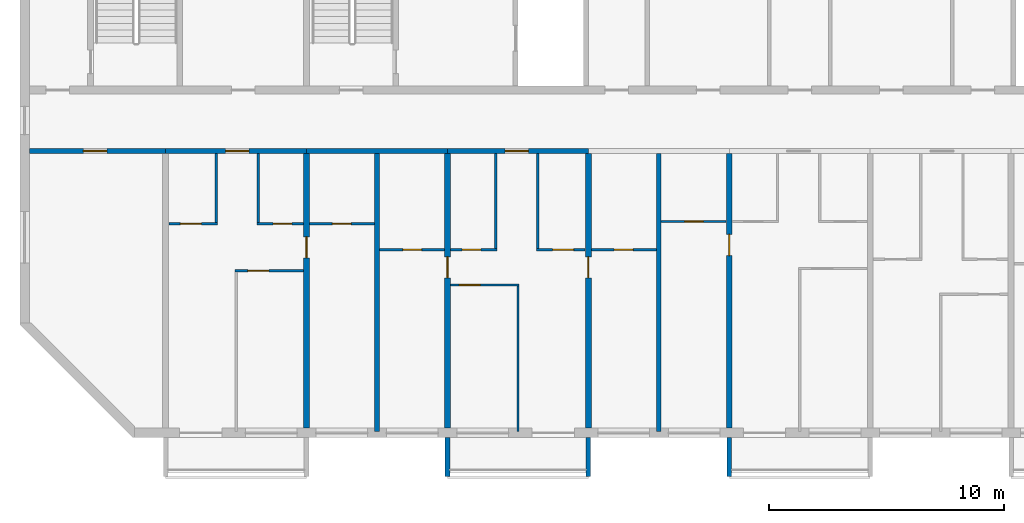
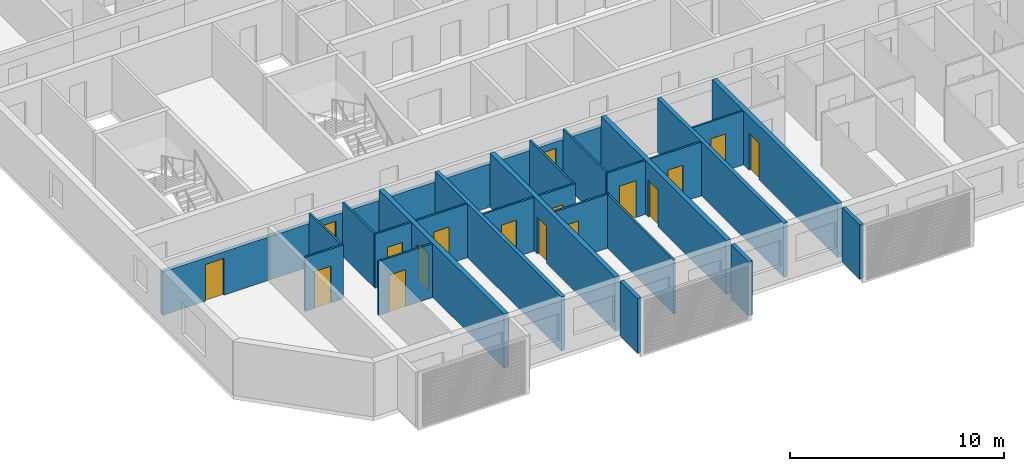
# One storey, part 2 of 29: 28 walls, 17 doors, 17 openings.
"""IFC4 building model written with IfcOpenShell, lengths in metres."""

from ifc_helpers import new_model, si_unit, direction, frame, frame_2d, origin, place, context, subcontext, project, spatial, polyline, rectangle, outline, extrude, source, transform, mapped, material, layer, layer_set, type_object, element, fill, save


model = new_model("IFC4")

# Units and contexts
model_context = context("Model", 3, precision=1e-05, world=origin(), true_north=direction((0.0, 1.0)))
body_context = subcontext(model_context, "Body", "Model", "MODEL_VIEW")
ifc_project = project(units=[si_unit("LENGTHUNIT", "METRE"), si_unit("AREAUNIT", "SQUARE_METRE"), si_unit("VOLUMEUNIT", "CUBIC_METRE"), si_unit("PLANEANGLEUNIT", "RADIAN"), si_unit("MASSUNIT", "GRAM", prefix="KILO")], contexts=[model_context])

# Site, building, storey
site_placement = place(None, origin())
site = spatial("IfcSite", under=ifc_project, at=site_placement, CompositionType="ELEMENT")
building_placement = place(site_placement, origin())
building = spatial("IfcBuilding", under=site, at=building_placement, Name="Poui Terraces", CompositionType="ELEMENT")
storey_placement = place(building_placement, frame((0.0, 0.0, 237.89990234375)))
storey = spatial("IfcBuildingStorey", under=building, at=storey_placement, Name="L66", CompositionType="ELEMENT", Elevation=237.89990234375)

# Wall, opening, door
ifc_material_1 = material(Name="Concrete 50 MPa", Category="concrete")
ifc_layer_1 = layer(ifc_material_1, 0.199951171875)
ifc_layer_set_1 = layer_set([ifc_layer_1], Name="Concrete 50 MPa")
wall_type_1 = type_object("IfcWallType", Name="CORRIDOR WALL 200 50MPa", PredefinedType="SHEAR", material=ifc_layer_set_1)
wall_1_placement = place(storey_placement, frame((18.199951171875, 12.0, 0.0), z_axis=(0.0, 0.0, 1.0), x_axis=(1.0, 0.0, 0.0)))
wall_1 = element("IfcWall", 1, at=wall_1_placement, inside=storey, type_object=wall_type_1, Name="CORRIDOR WALL LINE B BAY 1", PredefinedType="SHEAR", context=body_context, shape_type="SweptSolid", body=[
    extrude(rectangle(XDim=5.800048828125, YDim=0.199951171875, at=frame_2d((2.89990234375, 0.0))), origin(), (0.0, 0.0, 1.0), 2.47998046875),
])
opening_1_placement = place(wall_1_placement, frame((2.300048828125, 0.0, 0.0)))
opening_1 = element("IfcOpeningElement", 2, at=opening_1_placement, cuts=wall_1, Name="Opening D100", PredefinedType="OPENING", context=body_context, shape_type="SweptSolid", body=[
    extrude(rectangle(XDim=1.0, YDim=2.10009765625, at=frame_2d((0.5, 1.050048828125))), frame((0.0, 0.10986328125, 0.0), z_axis=(0.0, -1.0, 0.0), x_axis=(1.0, 0.0, 0.0)), (0.0, 0.0, 1.0), 0.219970703125),
])
ifc_material_2 = material(Name="Solid core timber door", Category="wood")
door_type_1 = type_object("IfcDoorType", Name="ACCESSIBLE INTERNAL DOOR 1000 X 2100", OperationType="NOTDEFINED", PredefinedType="DOOR", material=ifc_material_2)
door_1_placement = place(opening_1_placement, frame((1.0, 0.0, 0.0), z_axis=(0.0, 0.0, 1.0), x_axis=(-1.0, 0.0, 0.0)))
door_1 = element("IfcDoor", 3, at=door_1_placement, inside=storey, type_object=door_type_1, Name="ACCESSIBLE INTERNAL DOOR 063", OperationType="SINGLE_SWING_RIGHT", OverallHeight=2.10009765625, OverallWidth=1.0, PredefinedType="DOOR", context=body_context, shape_type="SweptSolid", body=[
    extrude(rectangle(XDim=1.0, YDim=2.10009765625, at=frame_2d((0.5, 1.050048828125))), frame((0.0, 0.02490234375, 0.0), z_axis=(0.0, -1.0, 0.0), x_axis=(1.0, 0.0, 0.0)), (0.0, 0.0, 1.0), 0.050048828125),
])
fill(opening_1, door_1)

wall_2_placement = place(storey_placement, frame((24.0, 12.0, 0.0), z_axis=(0.0, 0.0, 1.0), x_axis=(1.0, 0.0, 0.0)))
wall_2 = element("IfcWall", 4, at=wall_2_placement, inside=storey, type_object=wall_type_1, Name="CORRIDOR WALL LINE B BAY 2", PredefinedType="SHEAR", context=body_context, shape_type="SweptSolid", body=[
    extrude(rectangle(XDim=6.0, YDim=0.199951171875, at=frame_2d((3.0, 0.0))), origin(), (0.0, 0.0, 1.0), 2.47998046875),
])
opening_2_placement = place(wall_2_placement, frame((2.550048828125, 0.0, 0.0)))
opening_2 = element("IfcOpeningElement", 5, at=opening_2_placement, cuts=wall_2, Name="Opening FD30S", PredefinedType="OPENING", context=body_context, shape_type="SweptSolid", body=[
    extrude(rectangle(XDim=1.0, YDim=2.10009765625, at=frame_2d((0.5, 1.050048828125))), frame((0.0, 0.10986328125, 0.0), z_axis=(0.0, -1.0, 0.0), x_axis=(1.0, 0.0, 0.0)), (0.0, 0.0, 1.0), 0.219970703125),
])
ifc_material_3 = material(Name="Steel fire door", Category="steel")
door_type_2 = type_object("IfcDoorType", Name="FLAT ENTRANCE DOOR 1000 X 2100", OperationType="NOTDEFINED", PredefinedType="DOOR", material=ifc_material_3)
door_2_placement = place(opening_2_placement, frame((1.0, 0.0, 0.0), z_axis=(0.0, 0.0, 1.0), x_axis=(-1.0, 0.0, 0.0)))
door_2 = element("IfcDoor", 6, at=door_2_placement, inside=storey, type_object=door_type_2, Name="FLAT ENTRANCE DOOR 066", OperationType="SINGLE_SWING_LEFT", OverallHeight=2.10009765625, OverallWidth=1.0, PredefinedType="DOOR", context=body_context, shape_type="SweptSolid", body=[
    extrude(rectangle(XDim=1.0, YDim=2.10009765625, at=frame_2d((0.5, 1.050048828125))), frame((0.0, 0.02490234375, 0.0), z_axis=(0.0, -1.0, 0.0), x_axis=(1.0, 0.0, 0.0)), (0.0, 0.0, 1.0), 0.050048828125),
])
fill(opening_2, door_2)

# Wall
wall_3_placement = place(storey_placement, frame((30.0, 12.0, 0.0), z_axis=(0.0, 0.0, 1.0), x_axis=(1.0, 0.0, 0.0)))
element("IfcWall", 7, at=wall_3_placement, inside=storey, type_object=wall_type_1, Name="CORRIDOR WALL LINE B BAY 3", PredefinedType="SHEAR", context=body_context, shape_type="SweptSolid", body=[
    extrude(rectangle(XDim=6.0, YDim=0.199951171875, at=frame_2d((3.0, 0.0))), origin(), (0.0, 0.0, 1.0), 2.47998046875),
])

# Wall, opening, door
wall_4_placement = place(storey_placement, frame((36.0, 12.0, 0.0), z_axis=(0.0, 0.0, 1.0), x_axis=(1.0, 0.0, 0.0)))
wall_4 = element("IfcWall", 8, at=wall_4_placement, inside=storey, type_object=wall_type_1, Name="CORRIDOR WALL LINE B BAY 4", PredefinedType="SHEAR", context=body_context, shape_type="SweptSolid", body=[
    extrude(rectangle(XDim=6.0, YDim=0.199951171875, at=frame_2d((3.0, 0.0))), origin(), (0.0, 0.0, 1.0), 2.47998046875),
])
opening_3_placement = place(wall_4_placement, frame((2.449951171875, 0.0, 0.0)))
opening_3 = element("IfcOpeningElement", 9, at=opening_3_placement, cuts=wall_4, Name="Opening FD30S", PredefinedType="OPENING", context=body_context, shape_type="SweptSolid", body=[
    extrude(rectangle(XDim=1.0, YDim=2.10009765625, at=frame_2d((0.5, 1.050048828125))), frame((0.0, 0.10986328125, 0.0), z_axis=(0.0, -1.0, 0.0), x_axis=(1.0, 0.0, 0.0)), (0.0, 0.0, 1.0), 0.219970703125),
])
door_3_placement = place(opening_3_placement, frame((1.0, 0.0, 0.0), z_axis=(0.0, 0.0, 1.0), x_axis=(-1.0, 0.0, 0.0)))
door_3 = element("IfcDoor", 10, at=door_3_placement, inside=storey, type_object=door_type_2, Name="FLAT ENTRANCE DOOR 075", OperationType="SINGLE_SWING_RIGHT", OverallHeight=2.10009765625, OverallWidth=1.0, PredefinedType="DOOR", context=body_context, shape_type="SweptSolid", body=[
    extrude(rectangle(XDim=1.0, YDim=2.10009765625, at=frame_2d((0.5, 1.050048828125))), frame((0.0, 0.02490234375, 0.0), z_axis=(0.0, -1.0, 0.0), x_axis=(1.0, 0.0, 0.0)), (0.0, 0.0, 1.0), 0.050048828125),
])
fill(opening_3, door_3)

ifc_layer_2 = layer(ifc_material_1, 0.25)
ifc_layer_set_2 = layer_set([ifc_layer_2], Name="Concrete 50 MPa")
wall_type_2 = type_object("IfcWallType", Name="CROSS WALL 250 50MPa", PredefinedType="SHEAR", material=ifc_layer_set_2)
wall_5_placement = place(storey_placement, frame((30.0, 0.199951171875, 0.0), z_axis=(0.0, 0.0, 1.0), x_axis=(0.0, 1.0, 0.0)))
wall_5 = element("IfcWall", 11, at=wall_5_placement, inside=storey, type_object=wall_type_2, Name="CROSS WALL LINE 6 SOUTH", PredefinedType="SHEAR", context=body_context, shape_type="SweptSolid", body=[
    extrude(rectangle(XDim=11.699951171875, YDim=0.25, at=frame_2d((5.85009765625, 0.0))), origin(), (0.0, 0.0, 1.0), 3.080078125),
])
opening_4_placement = place(wall_5_placement, frame((7.25, 0.0, 0.0)))
opening_4 = element("IfcOpeningElement", 12, at=opening_4_placement, cuts=wall_5, Name="Opening D90", PredefinedType="OPENING", context=body_context, shape_type="SweptSolid", body=[
    extrude(rectangle(XDim=0.89990234375, YDim=2.10009765625, at=frame_2d((0.449951171875, 1.050048828125))), frame((0.0, 0.135009765625, 0.0), z_axis=(0.0, -1.0, 0.0), x_axis=(1.0, 0.0, 0.0)), (0.0, 0.0, 1.0), 0.27001953125),
])
door_type_3 = type_object("IfcDoorType", Name="INTERNAL DOOR 900 X 2100", OperationType="NOTDEFINED", PredefinedType="DOOR", material=ifc_material_2)
door_4_placement = place(opening_4_placement, frame((0.89990234375, 0.0, 0.0), z_axis=(0.0, 0.0, 1.0), x_axis=(-1.0, 0.0, 0.0)))
door_4 = element("IfcDoor", 13, at=door_4_placement, inside=storey, type_object=door_type_3, Name="INTERNAL DOOR 069", OperationType="SINGLE_SWING_LEFT", OverallHeight=2.10009765625, OverallWidth=0.89990234375, PredefinedType="DOOR", context=body_context, shape_type="SweptSolid", body=[
    extrude(rectangle(XDim=0.89990234375, YDim=2.10009765625, at=frame_2d((0.449951171875, 1.050048828125))), frame((0.0, 0.02490234375, 0.0), z_axis=(0.0, -1.0, 0.0), x_axis=(1.0, 0.0, 0.0)), (0.0, 0.0, 1.0), 0.050048828125),
])
fill(opening_4, door_4)

wall_6_placement = place(storey_placement, frame((36.0, 0.199951171875, 0.0), z_axis=(0.0, 0.0, 1.0), x_axis=(0.0, 1.0, 0.0)))
wall_6 = element("IfcWall", 14, at=wall_6_placement, inside=storey, type_object=wall_type_2, Name="CROSS WALL LINE 7 SOUTH", PredefinedType="SHEAR", context=body_context, shape_type="SweptSolid", body=[
    extrude(rectangle(XDim=11.699951171875, YDim=0.25, at=frame_2d((5.85009765625, 0.0))), origin(), (0.0, 0.0, 1.0), 3.080078125),
])
opening_5_placement = place(wall_6_placement, frame((6.39990234375, 0.0, 0.0)))
opening_5 = element("IfcOpeningElement", 15, at=opening_5_placement, cuts=wall_6, Name="Opening D90", PredefinedType="OPENING", context=body_context, shape_type="SweptSolid", body=[
    extrude(rectangle(XDim=0.89990234375, YDim=2.10009765625, at=frame_2d((0.449951171875, 1.050048828125))), frame((0.0, 0.135009765625, 0.0), z_axis=(0.0, -1.0, 0.0), x_axis=(1.0, 0.0, 0.0)), (0.0, 0.0, 1.0), 0.27001953125),
])
door_5_placement = place(opening_5_placement, origin())
door_5 = element("IfcDoor", 16, at=door_5_placement, inside=storey, type_object=door_type_3, Name="INTERNAL DOOR 072", OperationType="SINGLE_SWING_RIGHT", OverallHeight=2.10009765625, OverallWidth=0.89990234375, PredefinedType="DOOR", context=body_context, shape_type="SweptSolid", body=[
    extrude(rectangle(XDim=0.89990234375, YDim=2.10009765625, at=frame_2d((0.449951171875, 1.050048828125))), frame((0.0, 0.02490234375, 0.0), z_axis=(0.0, -1.0, 0.0), x_axis=(1.0, 0.0, 0.0)), (0.0, 0.0, 1.0), 0.050048828125),
])
fill(opening_5, door_5)

wall_7_placement = place(storey_placement, frame((42.0, 0.199951171875, 0.0), z_axis=(0.0, 0.0, 1.0), x_axis=(0.0, 1.0, 0.0)))
wall_7 = element("IfcWall", 17, at=wall_7_placement, inside=storey, type_object=wall_type_2, Name="CROSS WALL LINE 8 SOUTH", PredefinedType="SHEAR", context=body_context, shape_type="SweptSolid", body=[
    extrude(rectangle(XDim=11.699951171875, YDim=0.25, at=frame_2d((5.85009765625, 0.0))), origin(), (0.0, 0.0, 1.0), 3.080078125),
])
opening_6_placement = place(wall_7_placement, frame((6.39990234375, 0.0, 0.0)))
opening_6 = element("IfcOpeningElement", 18, at=opening_6_placement, cuts=wall_7, Name="Opening D90", PredefinedType="OPENING", context=body_context, shape_type="SweptSolid", body=[
    extrude(rectangle(XDim=0.89990234375, YDim=2.10009765625, at=frame_2d((0.449951171875, 1.050048828125))), frame((0.0, 0.135009765625, 0.0), z_axis=(0.0, -1.0, 0.0), x_axis=(1.0, 0.0, 0.0)), (0.0, 0.0, 1.0), 0.27001953125),
])
door_6_placement = place(opening_6_placement, frame((0.89990234375, 0.0, 0.0), z_axis=(0.0, 0.0, 1.0), x_axis=(-1.0, 0.0, 0.0)))
door_6 = element("IfcDoor", 19, at=door_6_placement, inside=storey, type_object=door_type_3, Name="INTERNAL DOOR 077", OperationType="SINGLE_SWING_LEFT", OverallHeight=2.10009765625, OverallWidth=0.89990234375, PredefinedType="DOOR", context=body_context, shape_type="SweptSolid", body=[
    extrude(rectangle(XDim=0.89990234375, YDim=2.10009765625, at=frame_2d((0.449951171875, 1.050048828125))), frame((0.0, 0.02490234375, 0.0), z_axis=(0.0, -1.0, 0.0), x_axis=(1.0, 0.0, 0.0)), (0.0, 0.0, 1.0), 0.050048828125),
])
fill(opening_6, door_6)

wall_8_placement = place(storey_placement, frame((48.0, 0.199951171875, 0.0), z_axis=(0.0, 0.0, 1.0), x_axis=(0.0, 1.0, 0.0)))
wall_8 = element("IfcWall", 20, at=wall_8_placement, inside=storey, type_object=wall_type_2, Name="CROSS WALL LINE 9 SOUTH", PredefinedType="SHEAR", context=body_context, shape_type="SweptSolid", body=[
    extrude(rectangle(XDim=11.699951171875, YDim=0.25, at=frame_2d((5.85009765625, 0.0))), origin(), (0.0, 0.0, 1.0), 3.080078125),
])
opening_7_placement = place(wall_8_placement, frame((7.35009765625, 0.0, 0.0)))
opening_7 = element("IfcOpeningElement", 21, at=opening_7_placement, cuts=wall_8, Name="Opening D90", PredefinedType="OPENING", context=body_context, shape_type="SweptSolid", body=[
    extrude(rectangle(XDim=0.89990234375, YDim=2.10009765625, at=frame_2d((0.449951171875, 1.050048828125))), frame((0.0, 0.135009765625, 0.0), z_axis=(0.0, -1.0, 0.0), x_axis=(1.0, 0.0, 0.0)), (0.0, 0.0, 1.0), 0.27001953125),
])
door_7_placement = place(opening_7_placement, origin())
door_7 = element("IfcDoor", 22, at=door_7_placement, inside=storey, type_object=door_type_3, Name="INTERNAL DOOR 079", OperationType="SINGLE_SWING_RIGHT", OverallHeight=2.10009765625, OverallWidth=0.89990234375, PredefinedType="DOOR", context=body_context, shape_type="SweptSolid", body=[
    extrude(rectangle(XDim=0.89990234375, YDim=2.10009765625, at=frame_2d((0.449951171875, 1.050048828125))), frame((0.0, 0.02490234375, 0.0), z_axis=(0.0, -1.0, 0.0), x_axis=(1.0, 0.0, 0.0)), (0.0, 0.0, 1.0), 0.050048828125),
])
fill(opening_7, door_7)

ifc_material_4 = material(Name="Plasterboard partition")
ifc_layer_3 = layer(ifc_material_4, 0.10009765625)
ifc_layer_set_3 = layer_set([ifc_layer_3], Name="Plasterboard partition")
wall_type_3 = type_object("IfcWallType", Name="FLAT PARTITION 100", PredefinedType="PARTITIONING", material=ifc_layer_set_3)
wall_9_placement = place(storey_placement, frame((36.135009765625, 6.300048828125, 0.0), z_axis=(0.0, 0.0, 1.0), x_axis=(1.0, 0.0, 0.0)))
wall_9 = element("IfcWall", 23, at=wall_9_placement, inside=storey, type_object=wall_type_3, Name="FLAT PARTITION 100", PredefinedType="PARTITIONING", context=body_context, shape_type="SweptSolid", body=[
    extrude(rectangle(XDim=2.9150390625, YDim=0.10009765625, at=frame_2d((1.45751953125, 0.0))), origin(), (0.0, 0.0, 1.0), 3.080078125),
])
opening_8_placement = place(wall_9_placement, frame((0.364990234375, 0.0, 0.0)))
opening_8 = element("IfcOpeningElement", 24, at=opening_8_placement, cuts=wall_9, Name="Opening D90", PredefinedType="OPENING", context=body_context, shape_type="SweptSolid", body=[
    extrude(rectangle(XDim=0.89990234375, YDim=2.10009765625, at=frame_2d((0.449951171875, 1.050048828125))), frame((0.0, 0.06005859375, 0.0), z_axis=(0.0, -1.0, 0.0), x_axis=(1.0, 0.0, 0.0)), (0.0, 0.0, 1.0), 0.1201171875),
])
door_8_placement = place(opening_8_placement, origin())
door_8 = element("IfcDoor", 25, at=door_8_placement, inside=storey, type_object=door_type_3, Name="INTERNAL DOOR 073", OperationType="SINGLE_SWING_RIGHT", OverallHeight=2.10009765625, OverallWidth=0.89990234375, PredefinedType="DOOR", context=body_context, shape_type="SweptSolid", body=[
    extrude(rectangle(XDim=0.89990234375, YDim=2.10009765625, at=frame_2d((0.449951171875, 1.050048828125))), frame((0.0, 0.02490234375, 0.0), z_axis=(0.0, -1.0, 0.0), x_axis=(1.0, 0.0, 0.0)), (0.0, 0.0, 1.0), 0.050048828125),
])
fill(opening_8, door_8)

wall_10_placement = place(storey_placement, frame((26.949951171875, 6.89990234375, 0.0), z_axis=(0.0, 0.0, 1.0), x_axis=(1.0, 0.0, 0.0)))
wall_10 = element("IfcWall", 26, at=wall_10_placement, inside=storey, type_object=wall_type_3, Name="FLAT PARTITION 100", PredefinedType="PARTITIONING", context=body_context, shape_type="SweptSolid", body=[
    extrude(rectangle(XDim=2.9150390625, YDim=0.10009765625, at=frame_2d((1.45751953125, 0.0))), origin(), (0.0, 0.0, 1.0), 3.080078125),
])
opening_9_placement = place(wall_10_placement, frame((0.550048828125, 0.0, 0.0)))
opening_9 = element("IfcOpeningElement", 27, at=opening_9_placement, cuts=wall_10, Name="Opening D90", PredefinedType="OPENING", context=body_context, shape_type="SweptSolid", body=[
    extrude(rectangle(XDim=0.89990234375, YDim=2.10009765625, at=frame_2d((0.449951171875, 1.050048828125))), frame((0.0, 0.06005859375, 0.0), z_axis=(0.0, -1.0, 0.0), x_axis=(1.0, 0.0, 0.0)), (0.0, 0.0, 1.0), 0.1201171875),
])
door_9_placement = place(opening_9_placement, origin())
door_9 = element("IfcDoor", 28, at=door_9_placement, inside=storey, type_object=door_type_3, Name="INTERNAL DOOR 067", OperationType="SINGLE_SWING_RIGHT", OverallHeight=2.10009765625, OverallWidth=0.89990234375, PredefinedType="DOOR", context=body_context, shape_type="SweptSolid", body=[
    extrude(rectangle(XDim=0.89990234375, YDim=2.10009765625, at=frame_2d((0.449951171875, 1.050048828125))), frame((0.0, 0.02490234375, 0.0), z_axis=(0.0, -1.0, 0.0), x_axis=(1.0, 0.0, 0.0)), (0.0, 0.0, 1.0), 0.050048828125),
])
fill(opening_9, door_9)

wall_11_placement = place(storey_placement, frame((33.10009765625, 7.800048828125, 0.0), z_axis=(0.0, 0.0, 1.0), x_axis=(1.0, 0.0, 0.0)))
wall_11 = element("IfcWall", 29, at=wall_11_placement, inside=storey, type_object=wall_type_3, Name="FLAT PARTITION 100", PredefinedType="PARTITIONING", context=body_context, shape_type="SweptSolid", body=[
    extrude(rectangle(XDim=2.764892578125, YDim=0.10009765625, at=frame_2d((1.38232421875, 0.0))), origin(), (0.0, 0.0, 1.0), 3.080078125),
])
opening_10_placement = place(wall_11_placement, frame((1.0, 0.0, 0.0)))
opening_10 = element("IfcOpeningElement", 30, at=opening_10_placement, cuts=wall_11, Name="Opening D80", PredefinedType="OPENING", context=body_context, shape_type="SweptSolid", body=[
    extrude(rectangle(XDim=0.800048828125, YDim=2.10009765625, at=frame_2d((0.39990234375, 1.050048828125))), frame((0.0, 0.06005859375, 0.0), z_axis=(0.0, -1.0, 0.0), x_axis=(1.0, 0.0, 0.0)), (0.0, 0.0, 1.0), 0.1201171875),
])
door_type_4 = type_object("IfcDoorType", Name="BATHROOM, LAUNDRY AND STORE DOOR 800 X 2100", OperationType="NOTDEFINED", PredefinedType="DOOR", material=ifc_material_2)
door_10_placement = place(opening_10_placement, origin())
door_10 = element("IfcDoor", 31, at=door_10_placement, inside=storey, type_object=door_type_4, Name="BATHROOM, LAUNDRY AND STORE DOOR 070", OperationType="SINGLE_SWING_LEFT", OverallHeight=2.10009765625, OverallWidth=0.800048828125, PredefinedType="DOOR", context=body_context, shape_type="SweptSolid", body=[
    extrude(rectangle(XDim=0.800048828125, YDim=2.10009765625, at=frame_2d((0.39990234375, 1.050048828125))), frame((0.0, 0.02490234375, 0.0), z_axis=(0.0, -1.0, 0.0), x_axis=(1.0, 0.0, 0.0)), (0.0, 0.0, 1.0), 0.050048828125),
])
fill(opening_10, door_10)

wall_12_placement = place(storey_placement, frame((36.135009765625, 7.800048828125, 0.0), z_axis=(0.0, 0.0, 1.0), x_axis=(1.0, 0.0, 0.0)))
wall_12 = element("IfcWall", 32, at=wall_12_placement, inside=storey, type_object=wall_type_3, Name="FLAT PARTITION 100", PredefinedType="PARTITIONING", context=body_context, shape_type="SweptSolid", body=[
    extrude(rectangle(XDim=1.965087890625, YDim=0.10009765625, at=frame_2d((0.982421875, 0.0))), origin(), (0.0, 0.0, 1.0), 3.080078125),
])
opening_11_placement = place(wall_12_placement, frame((0.489990234375, 0.0, 0.0)))
opening_11 = element("IfcOpeningElement", 33, at=opening_11_placement, cuts=wall_12, Name="Opening D80", PredefinedType="OPENING", context=body_context, shape_type="SweptSolid", body=[
    extrude(rectangle(XDim=0.800048828125, YDim=2.10009765625, at=frame_2d((0.39990234375, 1.050048828125))), frame((0.0, 0.06005859375, 0.0), z_axis=(0.0, -1.0, 0.0), x_axis=(1.0, 0.0, 0.0)), (0.0, 0.0, 1.0), 0.1201171875),
])
door_11_placement = place(opening_11_placement, origin())
door_11 = element("IfcDoor", 34, at=door_11_placement, inside=storey, type_object=door_type_4, Name="BATHROOM, LAUNDRY AND STORE DOOR 074", OperationType="SINGLE_SWING_LEFT", OverallHeight=2.10009765625, OverallWidth=0.800048828125, PredefinedType="DOOR", context=body_context, shape_type="SweptSolid", body=[
    extrude(rectangle(XDim=0.800048828125, YDim=2.10009765625, at=frame_2d((0.39990234375, 1.050048828125))), frame((0.0, 0.02490234375, 0.0), z_axis=(0.0, -1.0, 0.0), x_axis=(1.0, 0.0, 0.0)), (0.0, 0.0, 1.0), 0.050048828125),
])
fill(opening_11, door_11)

wall_13_placement = place(storey_placement, frame((39.800048828125, 7.800048828125, 0.0), z_axis=(0.0, 0.0, 1.0), x_axis=(1.0, 0.0, 0.0)))
wall_13 = element("IfcWall", 35, at=wall_13_placement, inside=storey, type_object=wall_type_3, Name="FLAT PARTITION 100", PredefinedType="PARTITIONING", context=body_context, shape_type="SweptSolid", body=[
    extrude(rectangle(XDim=2.06494140625, YDim=0.10009765625, at=frame_2d((1.032470703125, 0.0))), origin(), (0.0, 0.0, 1.0), 3.080078125),
])
opening_12_placement = place(wall_13_placement, frame((0.675048828125, 0.0, 0.0)))
opening_12 = element("IfcOpeningElement", 36, at=opening_12_placement, cuts=wall_13, Name="Opening D90", PredefinedType="OPENING", context=body_context, shape_type="SweptSolid", body=[
    extrude(rectangle(XDim=0.89990234375, YDim=2.10009765625, at=frame_2d((0.449951171875, 1.050048828125))), frame((0.0, 0.06005859375, 0.0), z_axis=(0.0, -1.0, 0.0), x_axis=(1.0, 0.0, 0.0)), (0.0, 0.0, 1.0), 0.1201171875),
])
door_12_placement = place(opening_12_placement, origin())
door_12 = element("IfcDoor", 37, at=door_12_placement, inside=storey, type_object=door_type_3, Name="INTERNAL DOOR 076", OperationType="SINGLE_SWING_RIGHT", OverallHeight=2.10009765625, OverallWidth=0.89990234375, PredefinedType="DOOR", context=body_context, shape_type="SweptSolid", body=[
    extrude(rectangle(XDim=0.89990234375, YDim=2.10009765625, at=frame_2d((0.449951171875, 1.050048828125))), frame((0.0, 0.02490234375, 0.0), z_axis=(0.0, -1.0, 0.0), x_axis=(1.0, 0.0, 0.0)), (0.0, 0.0, 1.0), 0.050048828125),
])
fill(opening_12, door_12)

wall_14_placement = place(storey_placement, frame((42.135009765625, 7.800048828125, 0.0), z_axis=(0.0, 0.0, 1.0), x_axis=(1.0, 0.0, 0.0)))
wall_14 = element("IfcWall", 38, at=wall_14_placement, inside=storey, type_object=wall_type_3, Name="FLAT PARTITION 100", PredefinedType="PARTITIONING", context=body_context, shape_type="SweptSolid", body=[
    extrude(rectangle(XDim=2.764892578125, YDim=0.10009765625, at=frame_2d((1.38232421875, 0.0))), origin(), (0.0, 0.0, 1.0), 3.080078125),
])
opening_13_placement = place(wall_14_placement, frame((0.965087890625, 0.0, 0.0)))
opening_13 = element("IfcOpeningElement", 39, at=opening_13_placement, cuts=wall_14, Name="Opening D80", PredefinedType="OPENING", context=body_context, shape_type="SweptSolid", body=[
    extrude(rectangle(XDim=0.800048828125, YDim=2.10009765625, at=frame_2d((0.39990234375, 1.050048828125))), frame((0.0, 0.06005859375, 0.0), z_axis=(0.0, -1.0, 0.0), x_axis=(1.0, 0.0, 0.0)), (0.0, 0.0, 1.0), 0.1201171875),
])
door_13_placement = place(opening_13_placement, origin())
door_13 = element("IfcDoor", 40, at=door_13_placement, inside=storey, type_object=door_type_4, Name="BATHROOM, LAUNDRY AND STORE DOOR 071", OperationType="SINGLE_SWING_LEFT", OverallHeight=2.10009765625, OverallWidth=0.800048828125, PredefinedType="DOOR", context=body_context, shape_type="SweptSolid", body=[
    extrude(rectangle(XDim=0.800048828125, YDim=2.10009765625, at=frame_2d((0.39990234375, 1.050048828125))), frame((0.0, 0.02490234375, 0.0), z_axis=(0.0, -1.0, 0.0), x_axis=(1.0, 0.0, 0.0)), (0.0, 0.0, 1.0), 0.050048828125),
])
fill(opening_13, door_13)

wall_15_placement = place(storey_placement, frame((24.135009765625, 8.89990234375, 0.0), z_axis=(0.0, 0.0, 1.0), x_axis=(1.0, 0.0, 0.0)))
wall_15 = element("IfcWall", 41, at=wall_15_placement, inside=storey, type_object=wall_type_3, Name="FLAT PARTITION 100", PredefinedType="PARTITIONING", context=body_context, shape_type="SweptSolid", body=[
    extrude(rectangle(XDim=2.06494140625, YDim=0.10009765625, at=frame_2d((1.032470703125, 0.0))), origin(), (0.0, 0.0, 1.0), 3.080078125),
])
opening_14_placement = place(wall_15_placement, frame((0.489990234375, 0.0, 0.0)))
opening_14 = element("IfcOpeningElement", 42, at=opening_14_placement, cuts=wall_15, Name="Opening D90", PredefinedType="OPENING", context=body_context, shape_type="SweptSolid", body=[
    extrude(rectangle(XDim=0.89990234375, YDim=2.10009765625, at=frame_2d((0.449951171875, 1.050048828125))), frame((0.0, 0.06005859375, 0.0), z_axis=(0.0, -1.0, 0.0), x_axis=(1.0, 0.0, 0.0)), (0.0, 0.0, 1.0), 0.1201171875),
])
door_14_placement = place(opening_14_placement, origin())
door_14 = element("IfcDoor", 43, at=door_14_placement, inside=storey, type_object=door_type_3, Name="INTERNAL DOOR 065", OperationType="SINGLE_SWING_RIGHT", OverallHeight=2.10009765625, OverallWidth=0.89990234375, PredefinedType="DOOR", context=body_context, shape_type="SweptSolid", body=[
    extrude(rectangle(XDim=0.89990234375, YDim=2.10009765625, at=frame_2d((0.449951171875, 1.050048828125))), frame((0.0, 0.02490234375, 0.0), z_axis=(0.0, -1.0, 0.0), x_axis=(1.0, 0.0, 0.0)), (0.0, 0.0, 1.0), 0.050048828125),
])
fill(opening_14, door_14)

wall_16_placement = place(storey_placement, frame((27.89990234375, 8.89990234375, 0.0), z_axis=(0.0, 0.0, 1.0), x_axis=(1.0, 0.0, 0.0)))
wall_16 = element("IfcWall", 44, at=wall_16_placement, inside=storey, type_object=wall_type_3, Name="FLAT PARTITION 100", PredefinedType="PARTITIONING", context=body_context, shape_type="SweptSolid", body=[
    extrude(rectangle(XDim=1.965087890625, YDim=0.10009765625, at=frame_2d((0.982421875, 0.0))), origin(), (0.0, 0.0, 1.0), 3.080078125),
])
opening_15_placement = place(wall_16_placement, frame((0.675048828125, 0.0, 0.0)))
opening_15 = element("IfcOpeningElement", 45, at=opening_15_placement, cuts=wall_16, Name="Opening D80", PredefinedType="OPENING", context=body_context, shape_type="SweptSolid", body=[
    extrude(rectangle(XDim=0.800048828125, YDim=2.10009765625, at=frame_2d((0.39990234375, 1.050048828125))), frame((0.0, 0.06005859375, 0.0), z_axis=(0.0, -1.0, 0.0), x_axis=(1.0, 0.0, 0.0)), (0.0, 0.0, 1.0), 0.1201171875),
])
door_15_placement = place(opening_15_placement, origin())
door_15 = element("IfcDoor", 46, at=door_15_placement, inside=storey, type_object=door_type_4, Name="BATHROOM, LAUNDRY AND STORE DOOR 068", OperationType="SINGLE_SWING_LEFT", OverallHeight=2.10009765625, OverallWidth=0.800048828125, PredefinedType="DOOR", context=body_context, shape_type="SweptSolid", body=[
    extrude(rectangle(XDim=0.800048828125, YDim=2.10009765625, at=frame_2d((0.39990234375, 1.050048828125))), frame((0.0, 0.02490234375, 0.0), z_axis=(0.0, -1.0, 0.0), x_axis=(1.0, 0.0, 0.0)), (0.0, 0.0, 1.0), 0.050048828125),
])
fill(opening_15, door_15)

wall_17_placement = place(storey_placement, frame((30.135009765625, 8.89990234375, 0.0), z_axis=(0.0, 0.0, 1.0), x_axis=(1.0, 0.0, 0.0)))
wall_17 = element("IfcWall", 47, at=wall_17_placement, inside=storey, type_object=wall_type_3, Name="FLAT PARTITION 100", PredefinedType="PARTITIONING", context=body_context, shape_type="SweptSolid", body=[
    extrude(rectangle(XDim=2.764892578125, YDim=0.10009765625, at=frame_2d((1.38232421875, 0.0))), origin(), (0.0, 0.0, 1.0), 3.080078125),
])
opening_16_placement = place(wall_17_placement, frame((0.965087890625, 0.0, 0.0)))
opening_16 = element("IfcOpeningElement", 48, at=opening_16_placement, cuts=wall_17, Name="Opening D80", PredefinedType="OPENING", context=body_context, shape_type="SweptSolid", body=[
    extrude(rectangle(XDim=0.800048828125, YDim=2.10009765625, at=frame_2d((0.39990234375, 1.050048828125))), frame((0.0, 0.06005859375, 0.0), z_axis=(0.0, -1.0, 0.0), x_axis=(1.0, 0.0, 0.0)), (0.0, 0.0, 1.0), 0.1201171875),
])
door_16_placement = place(opening_16_placement, origin())
door_16 = element("IfcDoor", 49, at=door_16_placement, inside=storey, type_object=door_type_4, Name="BATHROOM, LAUNDRY AND STORE DOOR 064", OperationType="SINGLE_SWING_RIGHT", OverallHeight=2.10009765625, OverallWidth=0.800048828125, PredefinedType="DOOR", context=body_context, shape_type="SweptSolid", body=[
    extrude(rectangle(XDim=0.800048828125, YDim=2.10009765625, at=frame_2d((0.39990234375, 1.050048828125))), frame((0.0, 0.02490234375, 0.0), z_axis=(0.0, -1.0, 0.0), x_axis=(1.0, 0.0, 0.0)), (0.0, 0.0, 1.0), 0.050048828125),
])
fill(opening_16, door_16)

wall_18_placement = place(storey_placement, frame((45.10009765625, 9.0, 0.0), z_axis=(0.0, 0.0, 1.0), x_axis=(1.0, 0.0, 0.0)))
wall_18 = element("IfcWall", 50, at=wall_18_placement, inside=storey, type_object=wall_type_3, Name="FLAT PARTITION 100", PredefinedType="PARTITIONING", context=body_context, shape_type="SweptSolid", body=[
    extrude(rectangle(XDim=2.764892578125, YDim=0.10009765625, at=frame_2d((1.38232421875, 0.0))), origin(), (0.0, 0.0, 1.0), 3.080078125),
])
opening_17_placement = place(wall_18_placement, frame((1.0, 0.0, 0.0)))
opening_17 = element("IfcOpeningElement", 51, at=opening_17_placement, cuts=wall_18, Name="Opening D80", PredefinedType="OPENING", context=body_context, shape_type="SweptSolid", body=[
    extrude(rectangle(XDim=0.800048828125, YDim=2.10009765625, at=frame_2d((0.39990234375, 1.050048828125))), frame((0.0, 0.06005859375, 0.0), z_axis=(0.0, -1.0, 0.0), x_axis=(1.0, 0.0, 0.0)), (0.0, 0.0, 1.0), 0.1201171875),
])
door_17_placement = place(opening_17_placement, origin())
door_17 = element("IfcDoor", 52, at=door_17_placement, inside=storey, type_object=door_type_4, Name="BATHROOM, LAUNDRY AND STORE DOOR 078", OperationType="SINGLE_SWING_RIGHT", OverallHeight=2.10009765625, OverallWidth=0.800048828125, PredefinedType="DOOR", context=body_context, shape_type="SweptSolid", body=[
    extrude(rectangle(XDim=0.800048828125, YDim=2.10009765625, at=frame_2d((0.39990234375, 1.050048828125))), frame((0.0, 0.02490234375, 0.0), z_axis=(0.0, -1.0, 0.0), x_axis=(1.0, 0.0, 0.0)), (0.0, 0.0, 1.0), 0.050048828125),
])
fill(opening_17, door_17)

# Walls
for number, where, z_axis, x_axis, name in (
    (53, (26.14990234375, 8.949951171875, 0.0), (0.0, 0.0, 1.0), (0.0, 1.0, 0.0), "FLAT PARTITION 100"),
    (54, (27.949951171875, 8.949951171875, 0.0), (0.0, 0.0, 1.0), (0.0, 1.0, 0.0), "FLAT PARTITION 100"),
):
    element("IfcWall", number, at=place(storey_placement, frame(where, z_axis=z_axis, x_axis=x_axis)), inside=storey, type_object=wall_type_3, Name=name, PredefinedType="PARTITIONING", context=body_context, shape_type="SweptSolid", body=[
        extrude(rectangle(XDim=2.93994140625, YDim=0.10009765625, at=frame_2d((1.469970703125, 0.0))), origin(), (0.0, 0.0, 1.0), 3.080078125),
    ])
wall_19_placement = place(storey_placement, frame((38.050048828125, 7.85009765625, 0.0), z_axis=(0.0, 0.0, 1.0), x_axis=(0.0, 1.0, 0.0)))
element("IfcWall", 55, at=wall_19_placement, inside=storey, type_object=wall_type_3, Name="FLAT PARTITION 100", PredefinedType="PARTITIONING", context=body_context, shape_type="SweptSolid", body=[
    extrude(rectangle(XDim=4.039794921875, YDim=0.10009765625, at=frame_2d((2.02001953125, 0.0))), origin(), (0.0, 0.0, 1.0), 3.080078125),
])
wall_20_placement = place(storey_placement, frame((39.0, 0.06005859375, 0.0), z_axis=(0.0, 0.0, 1.0), x_axis=(0.0, 1.0, 0.0)))
element("IfcWall", 56, at=wall_20_placement, inside=storey, type_object=wall_type_3, Name="FLAT PARTITION 100", PredefinedType="PARTITIONING", context=body_context, shape_type="SweptSolid", body=[
    extrude(rectangle(XDim=6.18994140625, YDim=0.10009765625, at=frame_2d((3.094970703125, 0.0))), origin(), (0.0, 0.0, 1.0), 3.080078125),
])
wall_21_placement = place(storey_placement, frame((39.85009765625, 7.85009765625, 0.0), z_axis=(0.0, 0.0, 1.0), x_axis=(0.0, 1.0, 0.0)))
element("IfcWall", 57, at=wall_21_placement, inside=storey, type_object=wall_type_3, Name="FLAT PARTITION 100", PredefinedType="PARTITIONING", context=body_context, shape_type="SweptSolid", body=[
    extrude(rectangle(XDim=4.039794921875, YDim=0.10009765625, at=frame_2d((2.02001953125, 0.0))), origin(), (0.0, 0.0, 1.0), 3.080078125),
])
ifc_material_5 = material(Name="Fire-rated masonry wall", Category="masonry")
ifc_layer_4 = layer(ifc_material_5, 0.199951171875)
ifc_layer_set_4 = layer_set([ifc_layer_4], Name="Fire-rated masonry wall")
wall_type_4 = type_object("IfcWallType", Name="FLAT PARTY WALL 200", PredefinedType="PARTITIONING", material=ifc_layer_set_4)
for number, where, z_axis, x_axis, name in (
    (58, (33.0, 0.06005859375, 0.0), (0.0, 0.0, 1.0), (0.0, 1.0, 0.0), "FLAT PARTY WALL 200"),
    (59, (45.0, 0.06005859375, 0.0), (0.0, 0.0, 1.0), (0.0, 1.0, 0.0), "FLAT PARTY WALL 200"),
):
    element("IfcWall", number, at=place(storey_placement, frame(where, z_axis=z_axis, x_axis=x_axis)), inside=storey, type_object=wall_type_4, Name=name, PredefinedType="PARTITIONING", context=body_context, shape_type="SweptSolid", body=[
        extrude(rectangle(XDim=11.829833984375, YDim=0.199951171875, at=frame_2d((5.9150390625, 0.0))), origin(), (0.0, 0.0, 1.0), 3.080078125),
    ])
ifc_material_6 = material(Name="Precast concrete 40 MPa", Category="concrete")
ifc_layer_5 = layer(ifc_material_6, 0.199951171875)
ifc_layer_set_5 = layer_set([ifc_layer_5], Name="Precast concrete 40 MPa")
wall_type_5 = type_object("IfcWallType", Name="REAR FIN 200", PredefinedType="STANDARD", material=ifc_layer_set_5)
shared_shape = source(origin(), body_context, "Body", "SweptSolid", [
    extrude(outline(polyline([(0.0, 0.0), (0.2001953125, 0.0), (0.2001953125, 1.650146484375), (0.0, 1.650146484375), (0.0, 0.0)])), origin(), (0.0, 0.0, 1.0), 3.10009765625),
])
for number, where, name in (
    (60, (35.89990234375, -1.85009765625, 0.0), "REAR FIN"),
    (61, (41.89990234375, -1.85009765625, 0.0), "REAR FIN"),
    (62, (47.89990234375, -1.85009765625, 0.0), "REAR FIN"),
):
    element("IfcWall", number, at=place(storey_placement, frame(where)), inside=storey, type_object=wall_type_5, Name=name, PredefinedType="STANDARD", context=body_context, shape_type="MappedRepresentation", body=[
        mapped(shared_shape, transform((0.0, 0.0, 0.0))),
    ])

save(model, "model.ifc")
